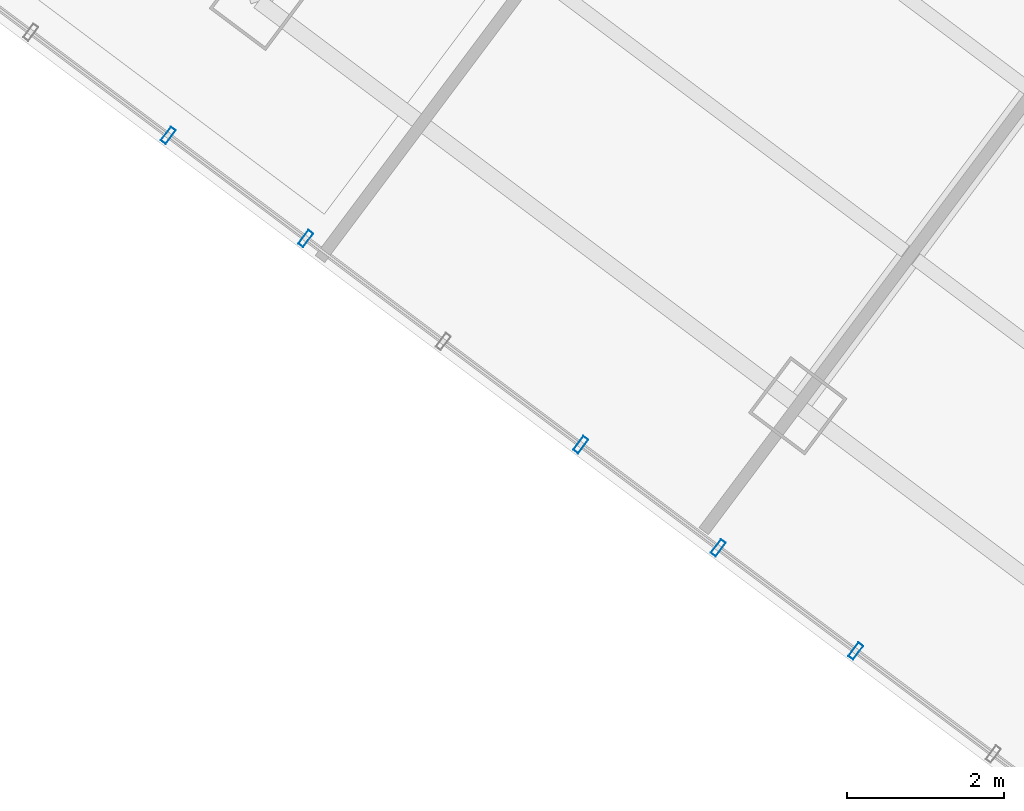
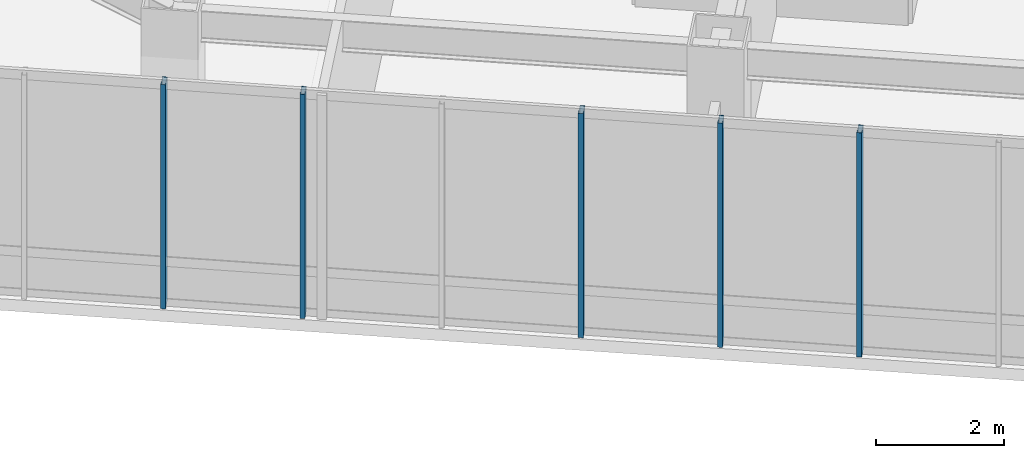
# One storey, part 5 of 27: 5 members, 1 element without a shape of its own.
"""IFC4 building model written with IfcOpenShell, lengths in metres."""

from ifc_helpers import new_model, si_unit, direction, frame, origin, origin_2d, place, context, subcontext, project, spatial, hollow_rectangle, extrude, material, layer, layer_set, material_profile, profile_set, type_object, element, aggregate, save


model = new_model("IFC4")

# Units and contexts
model_context = context("Model", 3, precision=1e-05, world=origin(), true_north=direction((0.0, 1.0)))
body_context = subcontext(model_context, "Body", "Model", "MODEL_VIEW")
ifc_project = project(units=[si_unit("LENGTHUNIT", "METRE"), si_unit("AREAUNIT", "SQUARE_METRE"), si_unit("VOLUMEUNIT", "CUBIC_METRE"), si_unit("PLANEANGLEUNIT", "RADIAN"), si_unit("MASSUNIT", "GRAM", prefix="KILO")], contexts=[model_context])

# Site, building, storey
site_placement = place(None, origin())
site = spatial("IfcSite", under=ifc_project, at=site_placement, CompositionType="ELEMENT")
building_placement = place(site_placement, origin())
building = spatial("IfcBuilding", under=site, at=building_placement, Name="Hatsunagi Terrace Concourse", CompositionType="ELEMENT")
storey_placement = place(building_placement, frame((0.0, 0.0, 70.10009765625)))
storey = spatial("IfcBuildingStorey", under=building, at=storey_placement, Name="L18", CompositionType="ELEMENT", Elevation=70.10009765625)

# Curtain wall, members
ifc_material_1 = material(Name="Anodised Aluminium Alloy 6063-T5", Category="aluminium")
ifc_layer = layer(ifc_material_1, 0.199951171875)
ifc_layer_set = layer_set([ifc_layer], Name="SkyLobbyAtrium_CW05")
curtain_wall_type = type_object("IfcCurtainWallType", Name="SkyLobbyAtrium_CW05", PredefinedType="NOTDEFINED", material=ifc_layer_set)
curtain_wall_placement = place(storey_placement, origin())
curtain_wall = element("IfcCurtainWall", 1, at=curtain_wall_placement, inside=storey, type_object=curtain_wall_type, Name="Unitised Curtain Wall CW-05 CW-L18-05", PredefinedType="NOTDEFINED")
ifc_material_2 = material(Name="Anodised Aluminium Alloy 6063-T5", Category="aluminium")
ifc_material_profile = material_profile(ifc_material_2, hollow_rectangle(XDim=0.080078125, YDim=0.219970703125, WallThickness=0.0048828125, at=origin_2d()), Name="ALU-MUL-220x80x5")
ifc_profile_set = profile_set([ifc_material_profile], Name="Anodised Aluminium Alloy 6063-T5")
member_type = type_object("IfcMemberType", Name="CurtainWallMullion_Heavy_220x80", PredefinedType="MULLION", material=ifc_profile_set)
member_1_placement = place(storey_placement, frame((46.300048828125, 7.75, 0.0), z_axis=(0.0, 0.0, 1.0), x_axis=(-0.800003116929, 0.599995844072, 0.0)))
member_1 = element("IfcMember", 2, at=member_1_placement, type_object=member_type, Name="Curtain Wall Mullion MUL-01", PredefinedType="MULLION", context=body_context, shape_type="SweptSolid", body=[
    extrude(hollow_rectangle(XDim=0.080078125, YDim=0.219970703125, WallThickness=0.0048828125, at=origin_2d()), origin(), (0.0, 0.0, 1.0), 4.27978515625),
])
member_2_placement = place(storey_placement, frame((44.5458984375, 9.06591796875, 0.0), z_axis=(0.0, 0.0, 1.0), x_axis=(-0.800003116929, 0.599995844072, 0.0)))
member_2 = element("IfcMember", 3, at=member_2_placement, type_object=member_type, Name="Curtain Wall Mullion MUL-01", PredefinedType="MULLION", context=body_context, shape_type="SweptSolid", body=[
    extrude(hollow_rectangle(XDim=0.080078125, YDim=0.219970703125, WallThickness=0.0048828125, at=origin_2d()), origin(), (0.0, 0.0, 1.0), 4.27978515625),
])
member_3_placement = place(storey_placement, frame((42.791015625, 10.382080078125, 0.0), z_axis=(0.0, 0.0, 1.0), x_axis=(-0.800003116929, 0.599995844072, 0.0)))
member_3 = element("IfcMember", 4, at=member_3_placement, type_object=member_type, Name="Curtain Wall Mullion MUL-01", PredefinedType="MULLION", context=body_context, shape_type="SweptSolid", body=[
    extrude(hollow_rectangle(XDim=0.080078125, YDim=0.219970703125, WallThickness=0.0048828125, at=origin_2d()), origin(), (0.0, 0.0, 1.0), 4.27978515625),
])
member_4_placement = place(storey_placement, frame((39.281982421875, 13.012939453125, 0.0), z_axis=(0.0, 0.0, 1.0), x_axis=(-0.800003116929, 0.599995844072, 0.0)))
member_4 = element("IfcMember", 5, at=member_4_placement, type_object=member_type, Name="Curtain Wall Mullion MUL-01", PredefinedType="MULLION", context=body_context, shape_type="SweptSolid", body=[
    extrude(hollow_rectangle(XDim=0.080078125, YDim=0.219970703125, WallThickness=0.0048828125, at=origin_2d()), origin(), (0.0, 0.0, 1.0), 4.27978515625),
])
member_5_placement = place(storey_placement, frame((37.528076171875, 14.3291015625, 0.0), z_axis=(0.0, 0.0, 1.0), x_axis=(-0.800003116929, 0.599995844072, 0.0)))
member_5 = element("IfcMember", 6, at=member_5_placement, type_object=member_type, Name="Curtain Wall Mullion MUL-01", PredefinedType="MULLION", context=body_context, shape_type="SweptSolid", body=[
    extrude(hollow_rectangle(XDim=0.080078125, YDim=0.219970703125, WallThickness=0.0048828125, at=origin_2d()), origin(), (0.0, 0.0, 1.0), 4.27978515625),
])
aggregate(curtain_wall, [member_1, member_2, member_3, member_4, member_5])

save(model, "model.ifc")
